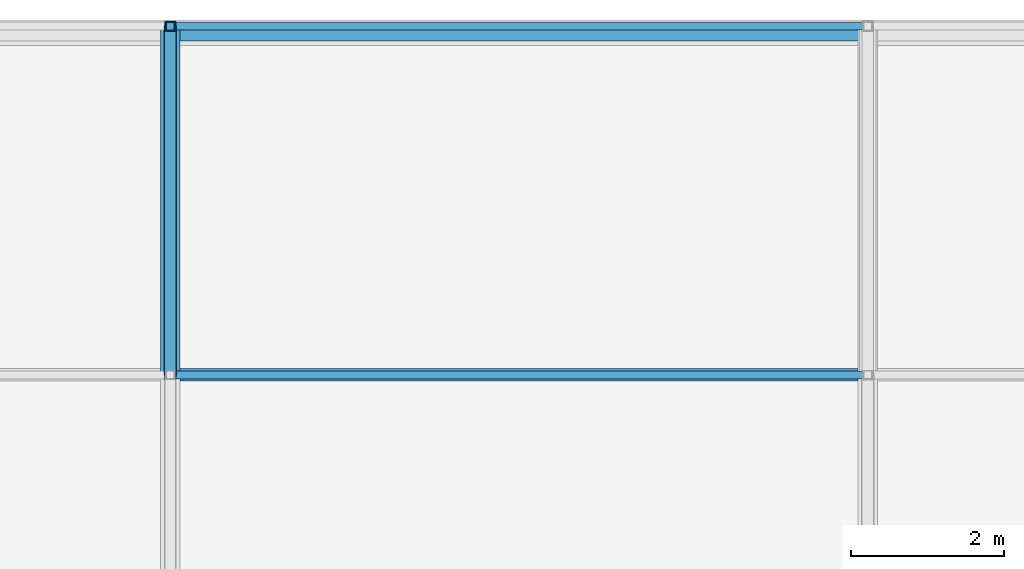
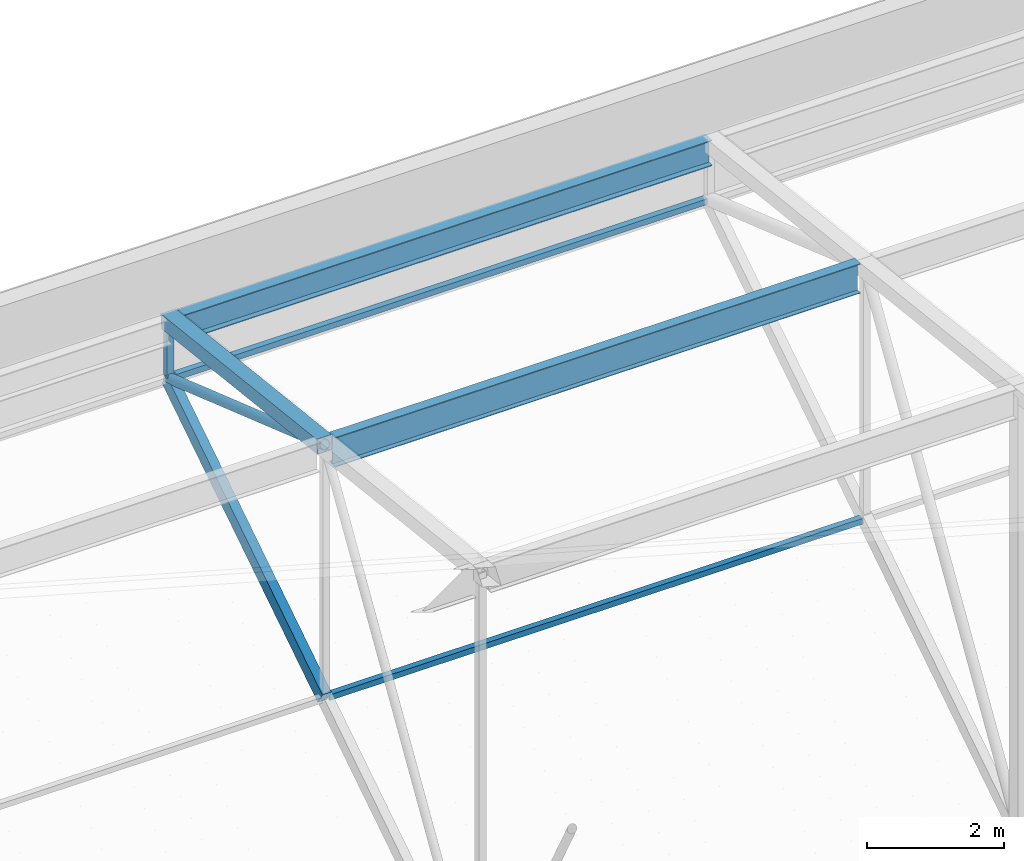
# One storey, part 404 of 500: 8 members.
"""IFC4 building model written with IfcOpenShell, lengths in metres."""

from ifc_helpers import new_model, si_unit, direction, frame, origin, origin_2d, place, context, subcontext, project, spatial, hollow_rectangle, hollow_circle, i_section, extrude, material, material_profile, profile_set, type_object, element, save


model = new_model("IFC4")

# Units and contexts
model_context = context("Model", 3, precision=1e-05, world=origin(), true_north=direction((0.0, 1.0)))
body_context = subcontext(model_context, "Body", "Model", "MODEL_VIEW")
ifc_project = project(units=[si_unit("LENGTHUNIT", "METRE"), si_unit("AREAUNIT", "SQUARE_METRE"), si_unit("VOLUMEUNIT", "CUBIC_METRE"), si_unit("PLANEANGLEUNIT", "RADIAN"), si_unit("MASSUNIT", "GRAM", prefix="KILO")], contexts=[model_context])

# Site, building, storey
site_placement = place(None, origin())
site = spatial("IfcSite", under=ifc_project, at=site_placement, CompositionType="ELEMENT")
building_placement = place(site_placement, origin())
building = spatial("IfcBuilding", under=site, at=building_placement, Name="Shirokan Park Arena", CompositionType="ELEMENT")
storey_placement = place(building_placement, frame((0.0, 0.0, 29.1201171875)))
storey = spatial("IfcBuildingStorey", under=building, at=storey_placement, Name="L06", CompositionType="ELEMENT", Elevation=29.1201171875)

# Members
ifc_material_1 = material(Name="Steel ASTM A500 Grade C", Category="steel")
ifc_material_profile_1 = material_profile(ifc_material_1, hollow_rectangle(XDim=0.152099609375, YDim=0.25390625, WallThickness=0.009521484375, at=origin_2d()), Name="HSS254X152.4X9.5")
ifc_profile_set_1 = profile_set([ifc_material_profile_1], Name="Steel ASTM A500 Grade C")
member_type_1 = type_object("IfcMemberType", Name="Bottom chord HSS254X152.4X9.5", PredefinedType="CHORD", material=ifc_profile_set_1)
member_1_placement = place(storey_placement, frame((127.39990234375, 113.75, 7.6044921875), z_axis=(0.0, 0.840971691661, 0.541079119746), x_axis=(-1.0, 0.0, 0.0)))
element("IfcMember", 1, at=member_1_placement, inside=storey, type_object=member_type_1, Name="Truss T15 bottom chord 28", PredefinedType="CHORD", context=body_context, shape_type="SweptSolid", body=[
    extrude(hollow_rectangle(XDim=0.152099609375, YDim=0.25390625, WallThickness=0.009521484375, at=origin_2d()), origin(), (0.0, 0.0, 1.0), 5.410400390625),
])
ifc_material_profile_2 = material_profile(ifc_material_1, hollow_rectangle(XDim=0.10205078125, YDim=0.10205078125, WallThickness=0.00634765625, at=origin_2d()), Name="HSS101.6X101.6X6.4")
ifc_profile_set_2 = profile_set([ifc_material_profile_2], Name="Steel ASTM A500 Grade C")
member_type_2 = type_object("IfcMemberType", Name="Eave soffit rail HSS101.6X101.6X6.4", PredefinedType="USERDEFINED", material=ifc_profile_set_2)
for number, where, z_axis, x_axis, name in (
    (2, (127.45703125, 118.300048828125, 10.531982421875), (1.0, 0.0, 0.0), (0.0, 1.0, 0.0), "Eave soffit rail N 29 bay 15"),
    (3, (127.45703125, 113.75, 7.6044921875), (1.0, 0.0, 0.0), (0.0, 1.0, 0.0), "Eave soffit rail N 28 bay 15"),
):
    element("IfcMember", number, at=place(storey_placement, frame(where, z_axis=z_axis, x_axis=x_axis)), inside=storey, type_object=member_type_2, Name=name, ObjectType="EAVE SOFFIT RAIL", PredefinedType="USERDEFINED", context=body_context, shape_type="SweptSolid", body=[
        extrude(hollow_rectangle(XDim=0.10205078125, YDim=0.10205078125, WallThickness=0.00634765625, at=origin_2d()), origin(), (0.0, 0.0, 1.0), 8.986083984375),
    ])
ifc_material_2 = material(Name="Steel ASTM A992", Category="steel")
ifc_material_profile_3 = material_profile(ifc_material_2, i_section(OverallWidth=0.166015625, OverallDepth=0.528076171875, WebThickness=0.009765625, FlangeThickness=0.013671875, at=origin_2d()), Name="W530X74")
ifc_profile_set_3 = profile_set([ifc_material_profile_3], Name="Steel ASTM A992")
member_type_3 = type_object("IfcMemberType", Name="Purlin W530X74", PredefinedType="PURLIN", material=ifc_profile_set_3)
member_2_placement = place(storey_placement, frame((127.527099609375, 113.75, 11.9658203125), z_axis=(1.0, 0.0, 0.0), x_axis=(0.0, 1.0, 0.0)))
element("IfcMember", 4, at=member_2_placement, inside=storey, type_object=member_type_3, Name="Purlin 28 bay 15", PredefinedType="PURLIN", context=body_context, shape_type="SweptSolid", body=[
    extrude(i_section(OverallWidth=0.166015625, OverallDepth=0.528076171875, WebThickness=0.009765625, FlangeThickness=0.013671875, at=origin_2d()), origin(), (0.0, 0.0, 1.0), 8.845947265625),
])
ifc_material_profile_4 = material_profile(ifc_material_2, i_section(OverallWidth=0.19091796875, OverallDepth=0.45703125, WebThickness=0.009033203125, FlangeThickness=0.014404296875, at=origin_2d()), Name="W460X74")
ifc_profile_set_4 = profile_set([ifc_material_profile_4], Name="Steel ASTM A992")
member_type_4 = type_object("IfcMemberType", Name="Roof edge beam W460X74", PredefinedType="USERDEFINED", material=ifc_profile_set_4)
member_3_placement = place(storey_placement, frame((127.45703125, 118.20458984375, 11.4814453125), z_axis=(1.0, 0.0, 0.0), x_axis=(0.0, 1.0, 0.0)))
element("IfcMember", 5, at=member_3_placement, inside=storey, type_object=member_type_4, Name="Roof edge beam N 16", ObjectType="ROOF EDGE BEAM", PredefinedType="USERDEFINED", context=body_context, shape_type="SweptSolid", body=[
    extrude(i_section(OverallWidth=0.19091796875, OverallDepth=0.45703125, WebThickness=0.009033203125, FlangeThickness=0.014404296875, at=origin_2d()), origin(), (0.0, 0.0, 1.0), 8.986083984375),
])
ifc_material_profile_5 = material_profile(ifc_material_1, hollow_rectangle(XDim=0.25390625, YDim=0.25390625, WallThickness=0.009521484375, at=origin_2d()), Name="HSS254X254X9.5")
ifc_profile_set_5 = profile_set([ifc_material_profile_5], Name="Steel ASTM A500 Grade C")
member_type_5 = type_object("IfcMemberType", Name="Top chord HSS254X254X9.5", PredefinedType="CHORD", material=ifc_profile_set_5)
member_4_placement = place(storey_placement, frame((127.39990234375, 113.75, 12.102783203125), z_axis=(0.0, 0.993532328996, -0.113549598152), x_axis=(-1.0, 0.0, 0.0)))
element("IfcMember", 6, at=member_4_placement, inside=storey, type_object=member_type_5, Name="Truss T15 top chord 28", PredefinedType="CHORD", context=body_context, shape_type="SweptSolid", body=[
    extrude(hollow_rectangle(XDim=0.25390625, YDim=0.25390625, WallThickness=0.009521484375, at=origin_2d()), origin(), (0.0, 0.0, 1.0), 4.57958984375),
])
ifc_material_profile_6 = material_profile(ifc_material_1, hollow_circle(Radius=0.083984375, WallThickness=0.009521484375, at=origin_2d()), Name="HSS168.3X9.5")
ifc_profile_set_6 = profile_set([ifc_material_profile_6], Name="Steel ASTM A500 Grade C")
member_type_6 = type_object("IfcMemberType", Name="Truss diagonal HSS168.3X9.5", PredefinedType="BRACE", material=ifc_profile_set_6)
member_5_placement = place(storey_placement, frame((127.39990234375, 113.75, 12.102783203125), z_axis=(0.0, 0.945256498603, -0.326328288459), x_axis=(-1.0, 0.0, 0.0)))
element("IfcMember", 7, at=member_5_placement, inside=storey, type_object=member_type_6, Name="Truss T15 diagonal 28", PredefinedType="BRACE", context=body_context, shape_type="SweptSolid", body=[
    extrude(hollow_circle(Radius=0.083984375, WallThickness=0.009521484375, at=origin_2d()), origin(), (0.0, 0.0, 1.0), 4.8134765625),
])
ifc_material_profile_7 = material_profile(ifc_material_1, hollow_rectangle(XDim=0.114013671875, YDim=0.114013671875, WallThickness=0.00634765625, at=origin_2d()), Name="HSS114.3X114.3X6.4")
ifc_profile_set_7 = profile_set([ifc_material_profile_7], Name="Steel ASTM A500 Grade C")
member_type_7 = type_object("IfcMemberType", Name="Truss post HSS114.3X114.3X6.4", PredefinedType="POST", material=ifc_profile_set_7)
member_6_placement = place(storey_placement, frame((127.39990234375, 118.300048828125, 10.531982421875), z_axis=(0.0, 0.0, 1.0), x_axis=(1.0, 0.0, 0.0)))
element("IfcMember", 8, at=member_6_placement, inside=storey, type_object=member_type_7, Name="Truss T15 post 29", PredefinedType="POST", context=body_context, shape_type="SweptSolid", body=[
    extrude(hollow_rectangle(XDim=0.114013671875, YDim=0.114013671875, WallThickness=0.00634765625, at=origin_2d()), origin(), (0.0, 0.0, 1.0), 1.05078125),
])

save(model, "model.ifc")
